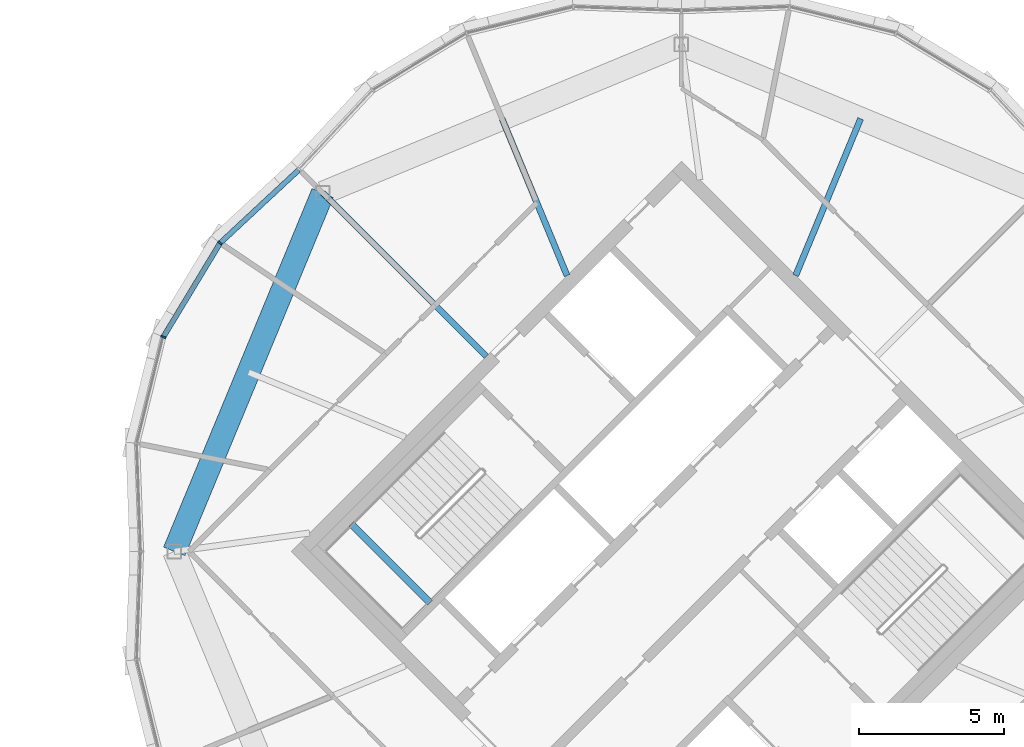
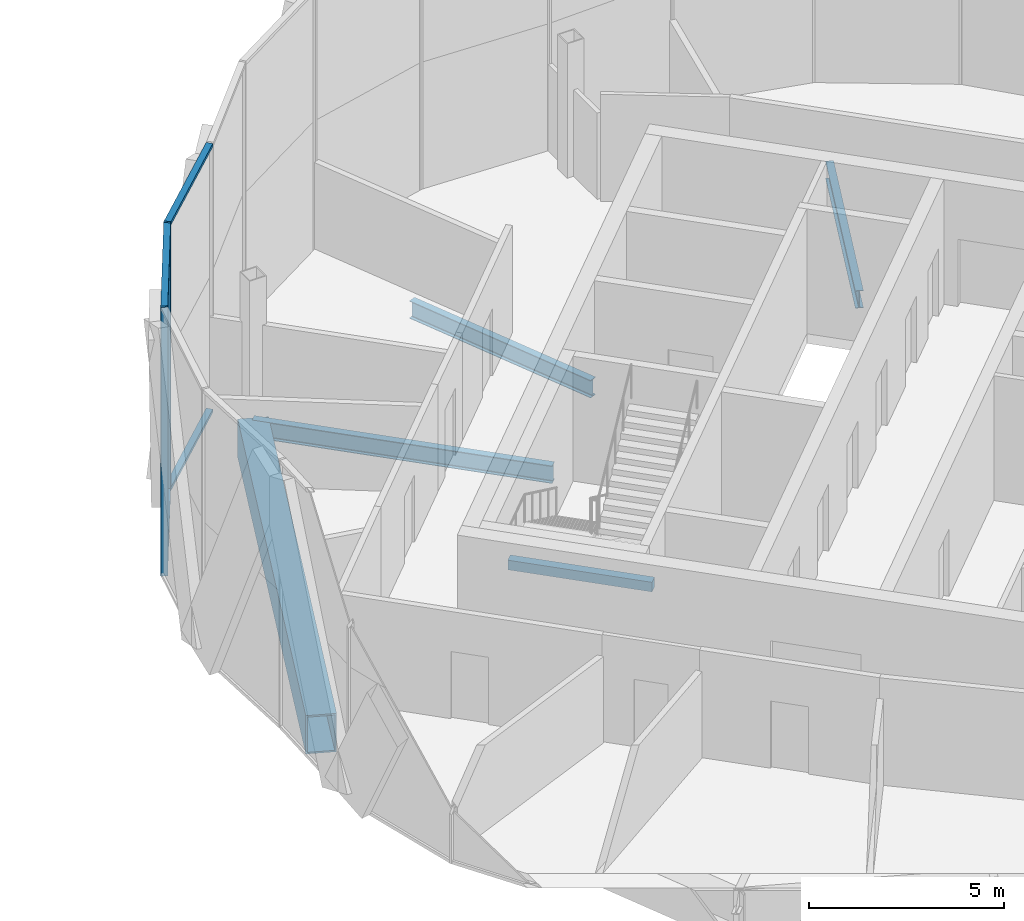
# One storey, part 10 of 24: 6 members, 5 beams, 1 element without a shape of its own.
"""IFC4 building model written with IfcOpenShell, lengths in metres."""

from ifc_helpers import new_model, si_unit, direction, frame, origin, origin_2d, place, context, subcontext, project, spatial, rectangle, hollow_rectangle, i_section, extrude, material, material_profile, profile_set, type_object, element, aggregate, save


model = new_model("IFC4")

# Units and contexts
model_context = context("Model", 3, precision=1e-05, world=origin(), true_north=direction((0.0, 1.0)))
body_context = subcontext(model_context, "Body", "Model", "MODEL_VIEW")
ifc_project = project(units=[si_unit("LENGTHUNIT", "METRE"), si_unit("AREAUNIT", "SQUARE_METRE"), si_unit("VOLUMEUNIT", "CUBIC_METRE"), si_unit("PLANEANGLEUNIT", "RADIAN"), si_unit("MASSUNIT", "GRAM", prefix="KILO")], contexts=[model_context])

# Site, building, storey
site_placement = place(None, origin())
site = spatial("IfcSite", under=ifc_project, at=site_placement, CompositionType="ELEMENT")
building_placement = place(site_placement, origin())
building = spatial("IfcBuilding", under=site, at=building_placement, Name="Ogive Gate Towers", CompositionType="ELEMENT")
storey_placement = place(building_placement, frame((0.0, 0.0, 277.199951171875)))
storey = spatial("IfcBuildingStorey", under=building, at=storey_placement, Name="L65", CompositionType="ELEMENT", Elevation=277.199951171875)

# Beams
ifc_material_1 = material(Name="Steel SM460", Category="steel")
ifc_material_profile_1 = material_profile(ifc_material_1, hollow_rectangle(XDim=0.800048828125, YDim=1.199951171875, WallThickness=0.050048828125, at=origin_2d()), Name="BX 1200x800x50")
ifc_profile_set_1 = profile_set([ifc_material_profile_1], Name="Steel SM460")
beam_type_1 = type_object("IfcBeamType", Name="Edge girder BX 1200x800x50", PredefinedType="BEAM", material=ifc_profile_set_1)
beam_1_placement = place(storey_placement, frame((23.657470703125, 12.342529296875, -0.89990234375), z_axis=(-0.382690191996, -0.923876732551, 0.0), x_axis=(0.923876732551, -0.382690191996, 0.0)))
element("IfcBeam", 1, at=beam_1_placement, inside=storey, type_object=beam_type_1, Name="T2/L65/SBM023", PredefinedType="BEAM", context=body_context, shape_type="SweptSolid", body=[
    extrude(hollow_rectangle(XDim=0.800048828125, YDim=1.199951171875, WallThickness=0.050048828125, at=origin_2d()), origin(), (0.0, 0.0, 1.0), 13.359619140625),
])
ifc_material_2 = material(Name="Concrete C40/50", Category="concrete")
ifc_material_profile_2 = material_profile(ifc_material_2, rectangle(XDim=0.25, YDim=0.300048828125, at=origin_2d()), Name="RC 250x300")
ifc_profile_set_2 = profile_set([ifc_material_profile_2], Name="Concrete C40/50")
beam_type_2 = type_object("IfcBeamType", Name="Landing bearer RC 250x300", PredefinedType="BEAM", material=ifc_profile_set_2)
beam_2_placement = place(storey_placement, frame((24.64111328125, 0.94482421875, 1.75), z_axis=(0.707138693938, -0.707074866995, 0.0), x_axis=(0.707074866995, 0.707138693938, 0.0)))
element("IfcBeam", 2, at=beam_2_placement, inside=storey, type_object=beam_type_2, Name="T2 L65 stair 1 landing bearer 1", PredefinedType="BEAM", context=body_context, shape_type="SweptSolid", body=[
    extrude(rectangle(XDim=0.25, YDim=0.300048828125, at=origin_2d()), origin(), (0.0, 0.0, 1.0), 3.824951171875),
])
ifc_material_3 = material(Name="Steel SM355", Category="steel")
ifc_material_profile_3 = material_profile(ifc_material_3, i_section(OverallWidth=0.2099609375, OverallDepth=0.550048828125, WebThickness=0.010986328125, FlangeThickness=0.01708984375, FilletRadius=0.02392578125, at=origin_2d()), Name="IPE 550")
ifc_profile_set_3 = profile_set([ifc_material_profile_3], Name="Steel SM355")
beam_type_3 = type_object("IfcBeamType", Name="Radial floor beam IPE 550", PredefinedType="BEAM", material=ifc_profile_set_3)
for number, where, z_axis, x_axis, name in (
    (3, (39.93505859375, 9.5, -0.574951171875), (0.382701102209, 0.923872213225, 0.0), (-0.923872213225, 0.382701102209, 0.0), "T2/L65/SBM010"),
    (4, (32.06494140625, 9.5, -0.574951171875), (-0.382701102209, 0.923872213225, 0.0), (-0.923872213225, -0.382701102209, 0.0), "T2/L65/SBM012"),
):
    element("IfcBeam", number, at=place(storey_placement, frame(where, z_axis=z_axis, x_axis=x_axis)), inside=storey, type_object=beam_type_3, Name=name, PredefinedType="BEAM", context=body_context, shape_type="SweptSolid", body=[
        extrude(i_section(OverallWidth=0.2099609375, OverallDepth=0.550048828125, WebThickness=0.010986328125, FlangeThickness=0.01708984375, FilletRadius=0.02392578125, at=origin_2d()), origin(), (0.0, 0.0, 1.0), 5.843505859375),
    ])
beam_3_placement = place(storey_placement, frame((29.282470703125, 6.717529296875, -0.574951171875), z_axis=(-0.707106781187, 0.707106781187, 0.0), x_axis=(-0.707106781187, -0.707106781187, 0.0)))
element("IfcBeam", 5, at=beam_3_placement, inside=storey, type_object=beam_type_3, Name="T2/L65/SBM013", PredefinedType="BEAM", context=body_context, shape_type="SweptSolid", body=[
    extrude(i_section(OverallWidth=0.2099609375, OverallDepth=0.550048828125, WebThickness=0.010986328125, FlangeThickness=0.01708984375, FilletRadius=0.02392578125, at=origin_2d()), origin(), (0.0, 0.0, 1.0), 7.954833984375),
])

# Curtain wall, members
ifc_material_4 = material(Name="Pale metal aluminium", Category="aluminium")
curtain_wall_type = type_object("IfcCurtainWallType", Name="Tower unitised wall, high zone", PredefinedType="NOTDEFINED", material=ifc_material_4)
curtain_wall_placement = place(storey_placement, origin())
curtain_wall = element("IfcCurtainWall", 6, at=curtain_wall_placement, inside=storey, type_object=curtain_wall_type, Name="CW2 T2 ECW04", PredefinedType="NOTDEFINED")
ifc_material_profile_4 = material_profile(ifc_material_4, rectangle(XDim=0.179931640625, YDim=0.06005859375, at=origin_2d()), Name="60 x 180 aluminium box")
ifc_profile_set_4 = profile_set([ifc_material_profile_4], Name="Pale metal aluminium")
member_type_1 = type_object("IfcMemberType", Name="Tower unitised wall, high zone mullion 60 x 180", PredefinedType="MULLION", material=ifc_profile_set_4)
member_1_placement = place(storey_placement, frame((20.123291015625, 10.618896484375, -0.300048828125), z_axis=(0.0, 0.0, 1.0), x_axis=(-0.775782162127, 0.631000821652, 0.0)))
member_1 = element("IfcMember", 7, at=member_1_placement, type_object=member_type_1, Name="CW2 mullion", PredefinedType="MULLION", context=body_context, shape_type="SweptSolid", body=[
    extrude(rectangle(XDim=0.179931640625, YDim=0.06005859375, at=origin_2d()), origin(), (0.0, 0.0, 1.0), 8.400146484375),
])
member_2_placement = place(storey_placement, frame((18.16796875, 7.38623046875, -0.300048828125), z_axis=(0.0, 0.0, 1.0), x_axis=(-0.923879532511, 0.382683432365, 0.0)))
member_2 = element("IfcMember", 8, at=member_2_placement, type_object=member_type_1, Name="CW2 mullion", PredefinedType="MULLION", context=body_context, shape_type="SweptSolid", body=[
    extrude(rectangle(XDim=0.179931640625, YDim=0.06005859375, at=origin_2d()), origin(), (0.0, 0.0, 1.0), 8.400146484375),
])
ifc_material_profile_5 = material_profile(ifc_material_4, rectangle(XDim=0.179931640625, YDim=0.10009765625, at=origin_2d()), Name="100 x 180 aluminium box")
ifc_profile_set_5 = profile_set([ifc_material_profile_5], Name="Pale metal aluminium")
member_type_2 = type_object("IfcMemberType", Name="Tower unitised wall, high zone transom 100 x 180", PredefinedType="USERDEFINED", material=ifc_profile_set_5)
member_3_placement = place(storey_placement, frame((22.825439453125, 13.131591796875, 8.050048828125), z_axis=(-0.732280303721, -0.681003345647, 0.0), x_axis=(0.681003345647, -0.732280303721, 0.0)))
member_3 = element("IfcMember", 9, at=member_3_placement, type_object=member_type_2, Name="CW2 transom", ObjectType="TRANSOM", PredefinedType="USERDEFINED", context=body_context, shape_type="SweptSolid", body=[
    extrude(rectangle(XDim=0.179931640625, YDim=0.10009765625, at=origin_2d()), origin(), (0.0, 0.0, 1.0), 3.661376953125),
])
member_4_placement = place(storey_placement, frame((22.825439453125, 13.131591796875, -0.25), z_axis=(-0.732280303721, -0.681003345647, 0.0), x_axis=(0.681003345647, -0.732280303721, 0.0)))
member_4 = element("IfcMember", 10, at=member_4_placement, type_object=member_type_2, Name="CW2 transom", ObjectType="TRANSOM", PredefinedType="USERDEFINED", context=body_context, shape_type="SweptSolid", body=[
    extrude(rectangle(XDim=0.179931640625, YDim=0.10009765625, at=origin_2d()), origin(), (0.0, 0.0, 1.0), 3.661376953125),
])
member_5_placement = place(storey_placement, frame((20.1083984375, 10.59423828125, 8.050048828125), z_axis=(-0.51753219803, -0.855663733018, 0.0), x_axis=(0.855663733018, -0.51753219803, 0.0)))
member_5 = element("IfcMember", 11, at=member_5_placement, type_object=member_type_2, Name="CW2 transom", ObjectType="TRANSOM", PredefinedType="USERDEFINED", context=body_context, shape_type="SweptSolid", body=[
    extrude(rectangle(XDim=0.179931640625, YDim=0.10009765625, at=origin_2d()), origin(), (0.0, 0.0, 1.0), 3.720703125),
])
member_6_placement = place(storey_placement, frame((20.1083984375, 10.59423828125, -0.25), z_axis=(-0.51753219803, -0.855663733018, 0.0), x_axis=(0.855663733018, -0.51753219803, 0.0)))
member_6 = element("IfcMember", 12, at=member_6_placement, type_object=member_type_2, Name="CW2 transom", ObjectType="TRANSOM", PredefinedType="USERDEFINED", context=body_context, shape_type="SweptSolid", body=[
    extrude(rectangle(XDim=0.179931640625, YDim=0.10009765625, at=origin_2d()), origin(), (0.0, 0.0, 1.0), 3.720703125),
])
aggregate(curtain_wall, [member_1, member_3, member_4, member_2, member_5, member_6])

save(model, "model.ifc")
